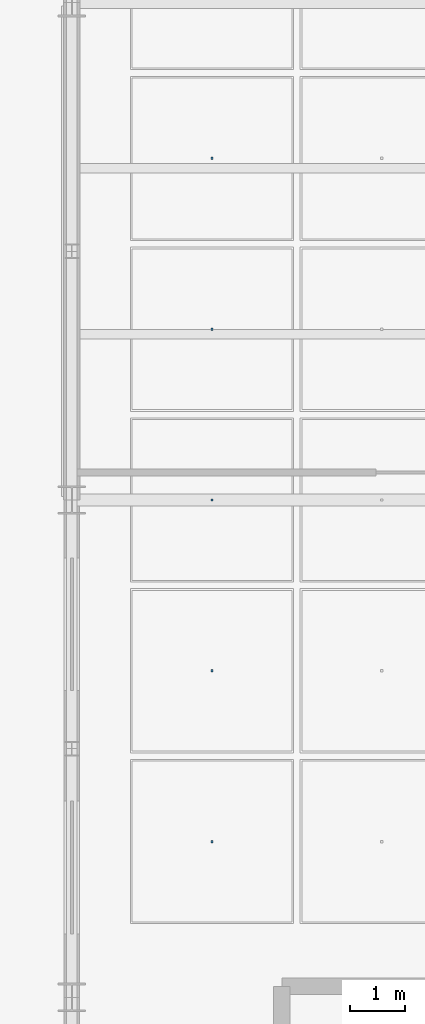
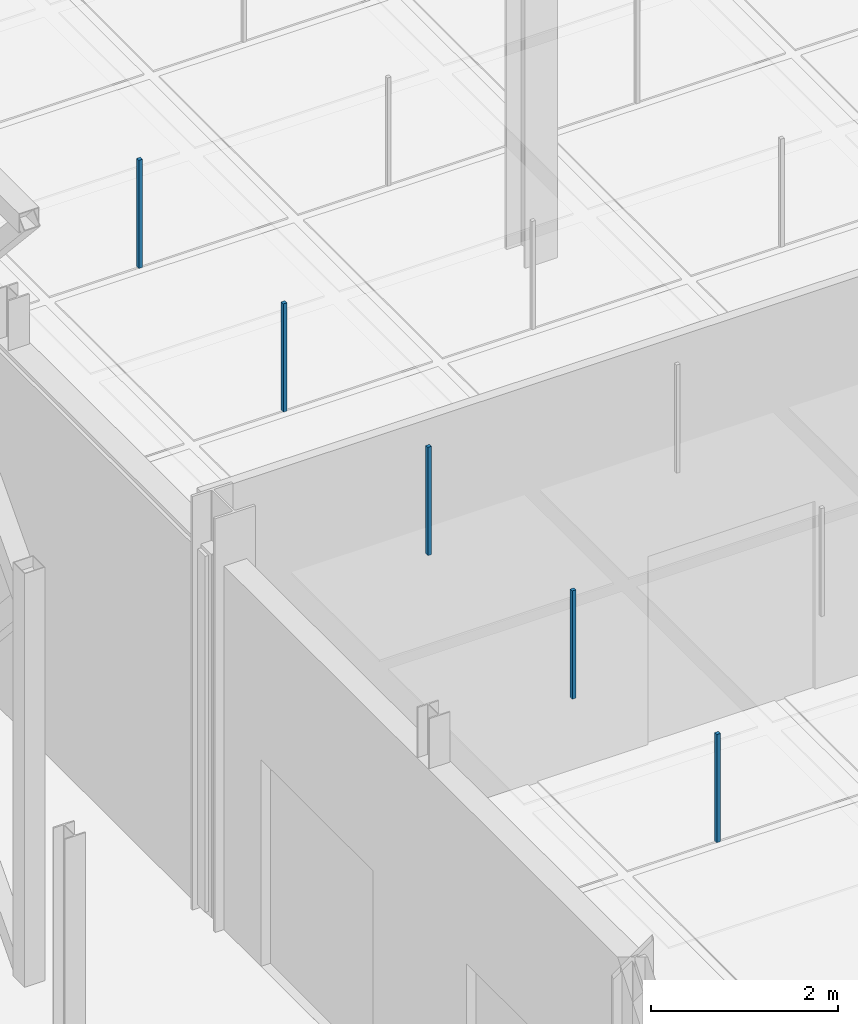
# One storey, part 105 of 180: 5 discrete accessories.
"""IFC4 building model written with IfcOpenShell, lengths in metres."""

import ifcopenshell
import ifcopenshell.guid

model = None  # the IFC model being written
_history = None  # IfcOwnerHistory: only IFC2X3 demands one
_inside = {}  # id of a spatial element -> (the spatial element, [elements in it])
_under = {}  # id of a project, library or spatial element -> (it, [spatial elements below it])
_declared = {}  # id of a project -> (the project, [libraries it declares])
_typed = {}  # id of a type object -> (the type object, [elements of that type])
_made_of = {}  # id of a material, layer set ... -> (it, [elements and type objects made of it])


def new_model(schema):
    """Start an empty IFC model of exactly this schema.

    Asked for "IFC4X3", IfcOpenShell would pick the latest addendum, in which some entities
    have other attributes; the version numbers below select the first issue.
    IFC2X3 requires an IfcOwnerHistory on every rooted entity: one is made here for all.
    """
    global model, _history
    if schema == "IFC4X3":
        model = ifcopenshell.file(schema_version=(4, 3, 0, 0))
    else:
        model = ifcopenshell.file(schema=schema)
    _inside.clear()
    _under.clear()
    _declared.clear()
    _typed.clear()
    _made_of.clear()
    _history = None
    if model.schema == "IFC2X3":
        org = make("IfcOrganization", Name="unknown")
        user = make(
            "IfcPersonAndOrganization",
            ThePerson=make("IfcPerson", FamilyName="unknown"),
            TheOrganization=org,
        )
        app = make(
            "IfcApplication",
            ApplicationDeveloper=org,
            Version="unknown",
            ApplicationFullName="unknown",
            ApplicationIdentifier="unknown",
        )
        _history = make(
            "IfcOwnerHistory",
            OwningUser=user,
            OwningApplication=app,
            ChangeAction="ADDED",
            CreationDate=0,
        )
    return model


def make(cls, **values):
    """One entity of the class cls with the attributes given. An attribute that is None is left unset."""
    return model.create_entity(
        cls, **{name: value for name, value in values.items() if value is not None}
    )


def rooted(cls, **values):
    """An entity with a GlobalId (a new one), such as an element, a storey or a relation."""
    return make(cls, GlobalId=ifcopenshell.guid.new(), OwnerHistory=_history, **values)


def si_unit(unit_type, name, prefix=None):
    """IfcSIUnit, for example si_unit("LENGTHUNIT", "METRE", prefix="MILLI")."""
    return make("IfcSIUnit", UnitType=unit_type, Prefix=prefix, Name=name)


def assignment(units):
    """IfcUnitAssignment: the units of a project."""
    return None if units is None else make("IfcUnitAssignment", Units=units)


def point(xyz):
    """IfcCartesianPoint."""
    return None if xyz is None else make("IfcCartesianPoint", Coordinates=xyz)


def direction(xyz):
    """IfcDirection."""
    return None if xyz is None else make("IfcDirection", DirectionRatios=xyz)


def frame(location, z_axis=None, x_axis=None):
    """IfcAxis2Placement3D, a coordinate frame: its origin and axes. An axis left out is left unset."""
    return make(
        "IfcAxis2Placement3D",
        Location=point(location),
        Axis=direction(z_axis),
        RefDirection=direction(x_axis),
    )


def frame_2d(location, x_axis=None):
    """IfcAxis2Placement2D, a coordinate frame in the plane: its origin and x axis."""
    return make(
        "IfcAxis2Placement2D", Location=point(location), RefDirection=direction(x_axis)
    )


def origin():
    """The frame at (0, 0, 0) with its axes left unset."""
    return frame((0.0, 0.0, 0.0))


def origin_2d():
    """The frame at (0, 0) in the plane with its x axis left unset."""
    return frame_2d((0.0, 0.0))


def place(relative_to, where):
    """IfcLocalPlacement: puts the frame where relative to a parent placement (None: the world)."""
    return make(
        "IfcLocalPlacement", PlacementRelTo=relative_to, RelativePlacement=where
    )


def context(
    kind, dimensions, precision=None, world=None, true_north=None, identifier=None
):
    """IfcGeometricRepresentationContext, for example the 3D "Model" context."""
    return make(
        "IfcGeometricRepresentationContext",
        ContextIdentifier=identifier,
        ContextType=kind,
        CoordinateSpaceDimension=dimensions,
        Precision=precision,
        WorldCoordinateSystem=world,
        TrueNorth=true_north,
    )


def subcontext(parent, identifier, kind, view, scale=None):
    """IfcGeometricRepresentationSubContext, for example "Body" below "Model"."""
    return make(
        "IfcGeometricRepresentationSubContext",
        ContextIdentifier=identifier,
        ContextType=kind,
        ParentContext=parent,
        TargetScale=scale,
        TargetView=view,
    )


def project(units=None, contexts=None):
    """IfcProject with its units and contexts."""
    return rooted(
        "IfcProject",
        Name="project",
        RepresentationContexts=contexts,
        UnitsInContext=assignment(units),
    )


def spatial(cls, under=None, at=None, **own):
    """A site, building, storey or space (cls), placed at a placement, below another one or the project."""
    s = rooted(cls, ObjectPlacement=at, **own)
    if under is not None:
        _under.setdefault(under.id(), (under, []))[1].append(s)
    return s


def profile(cls, at=None, kind="AREA", **sizes):
    """A parametric profile (cls). Its sizes go by their IFC names, for example OverallWidth=200.0."""
    return make(cls, ProfileType=kind, Position=at, **sizes)


def rectangle(**sizes):
    """IfcRectangleProfileDef."""
    return profile("IfcRectangleProfileDef", **sizes)


def extrude(swept, where, along, depth):
    """IfcExtrudedAreaSolid: the profile swept, set in the frame where, extruded along a direction by depth."""
    return make(
        "IfcExtrudedAreaSolid",
        SweptArea=swept,
        Position=where,
        ExtrudedDirection=direction(along),
        Depth=depth,
    )


def shape(context_of_items, identifier, shape_type, items):
    """IfcShapeRepresentation: the items that make up one representation, for example the "Body"."""
    return make(
        "IfcShapeRepresentation",
        ContextOfItems=context_of_items,
        RepresentationIdentifier=identifier,
        RepresentationType=shape_type,
        Items=items,
    )


def material(Name=None, Category=None):
    """IfcMaterial."""
    return make("IfcMaterial", Name=Name, Category=Category)


def made_of(thing, what):
    """Note that an element or type object is made of a material, layer set ...; save() writes the relation."""
    if what is not None:
        _made_of.setdefault(what.id(), (what, []))[1].append(thing)
    return thing


def type_object(cls, material=None, **own):
    """A type object (cls), such as IfcWallType, which elements share."""
    return made_of(rooted(cls, **own), material)


def element(
    cls,
    number,
    at=None,
    inside=None,
    cuts=None,
    type_object=None,
    material=None,
    context=None,
    identifier="Body",
    shape_type=None,
    held_by="IfcProductDefinitionShape",
    body=None,
    shapes=None,
    **own,
):
    """One element of the class cls, such as IfcWall. Its Tag is "e" and its number.

    at: its placement. inside: the storey or other place that contains it. cuts: it is an
    opening in that element (IfcRelVoidsElement). A single representation is given by context,
    identifier, shape_type and body (its items); several are given by shapes. held_by: the class
    of the entity that holds the representations. save() writes the other relations.
    """
    e = rooted(cls, Tag="e%d" % number, ObjectPlacement=at, **own)
    if body is not None:
        shapes = [shape(context, identifier, shape_type, body)]
    if shapes is not None:
        e.Representation = make(held_by, Representations=shapes)
    if inside is not None:
        _inside.setdefault(inside.id(), (inside, []))[1].append(e)
    if cuts is not None:
        rooted(
            "IfcRelVoidsElement", RelatingBuildingElement=cuts, RelatedOpeningElement=e
        )
    if type_object is not None:
        _typed.setdefault(type_object.id(), (type_object, []))[1].append(e)
    return made_of(e, material)


def aggregate(whole, parts):
    """IfcRelAggregates: a whole, such as a stair, and the parts it consists of."""
    return rooted("IfcRelAggregates", RelatingObject=whole, RelatedObjects=parts)


def save(model, path):
    """Write the relations noted so far, then the file.

    IfcRelAggregates (storeys below a building ...), IfcRelContainedInSpatialStructure (elements
    in a storey), IfcRelDefinesByType, IfcRelAssociatesMaterial and IfcRelDeclares: one each for
    every whole, place, type object, material and project.
    """
    for whole, parts in _under.values():
        aggregate(whole, parts)
    for where, things in _inside.values():
        rooted(
            "IfcRelContainedInSpatialStructure",
            RelatedElements=things,
            RelatingStructure=where,
        )
    for kind, things in _typed.values():
        rooted("IfcRelDefinesByType", RelatedObjects=things, RelatingType=kind)
    for what, things in _made_of.values():
        rooted("IfcRelAssociatesMaterial", RelatedObjects=things, RelatingMaterial=what)
    for by, libraries in _declared.values():
        rooted("IfcRelDeclares", RelatingContext=by, RelatedDefinitions=libraries)
    model.write(path)


model = new_model("IFC4")

# Units and contexts
model_context = context("Model", 3, precision=1e-05, world=origin(), true_north=direction((0.0, 1.0)))
body_context = subcontext(model_context, "Body", "Model", "MODEL_VIEW")
ifc_project = project(units=[si_unit("LENGTHUNIT", "METRE"), si_unit("AREAUNIT", "SQUARE_METRE"), si_unit("VOLUMEUNIT", "CUBIC_METRE"), si_unit("PLANEANGLEUNIT", "RADIAN"), si_unit("MASSUNIT", "GRAM", prefix="KILO"), si_unit("THERMODYNAMICTEMPERATUREUNIT", "KELVIN"), si_unit("POWERUNIT", "WATT")], contexts=[model_context])

# Site, building, storey
site_placement = place(None, origin())
site = spatial("IfcSite", under=ifc_project, at=site_placement, CompositionType="ELEMENT")
building_placement = place(site_placement, origin())
building = spatial("IfcBuilding", under=site, at=building_placement, Name="Tallowbark Science Centre", CompositionType="ELEMENT")
storey_placement = place(building_placement, origin())
storey = spatial("IfcBuildingStorey", under=building, at=storey_placement, Name="L00", CompositionType="ELEMENT", Elevation=0.0)

# Discrete accessories
ifc_material = material(Name="Galvanised Steel Grade C350L0 (350 MPa)", Category="steel")
discrete_accessory_type = type_object("IfcDiscreteAccessoryType", Name="ACC-CLG-HNG", PredefinedType="BRACKET", material=ifc_material)
for number, where, z_axis, x_axis, name in (
    (1, (61.03564453125, 16.318115234375, 3.8095703125), (0.0, 0.0, 1.0), (1.0, 0.0, 0.0), "Ceiling Hanger Bracket L00-75"),
    (2, (61.03564453125, 19.4091796875, 3.8095703125), (0.0, 0.0, 1.0), (1.0, 0.0, 0.0), "Ceiling Hanger Bracket L00-76"),
    (3, (61.03564453125, 22.5, 3.8095703125), (0.0, 0.0, 1.0), (1.0, 0.0, 0.0), "Ceiling Hanger Bracket L00-77"),
    (4, (61.03564453125, 25.5908203125, 3.8095703125), (0.0, 0.0, 1.0), (1.0, 0.0, 0.0), "Ceiling Hanger Bracket L00-78"),
    (5, (61.03564453125, 28.681884765625, 3.8095703125), (0.0, 0.0, 1.0), (1.0, 0.0, 0.0), "Ceiling Hanger Bracket L00-79"),
):
    element("IfcDiscreteAccessory", number, at=place(storey_placement, frame(where, z_axis=z_axis, x_axis=x_axis)), inside=storey, type_object=discrete_accessory_type, Name=name, PredefinedType="BRACKET", context=body_context, shape_type="SweptSolid", body=[
        extrude(rectangle(XDim=0.044921875, YDim=0.044921875, at=origin_2d()), origin(), (0.0, 0.0, 1.0), 1.41357421875),
    ])

save(model, "model.ifc")
